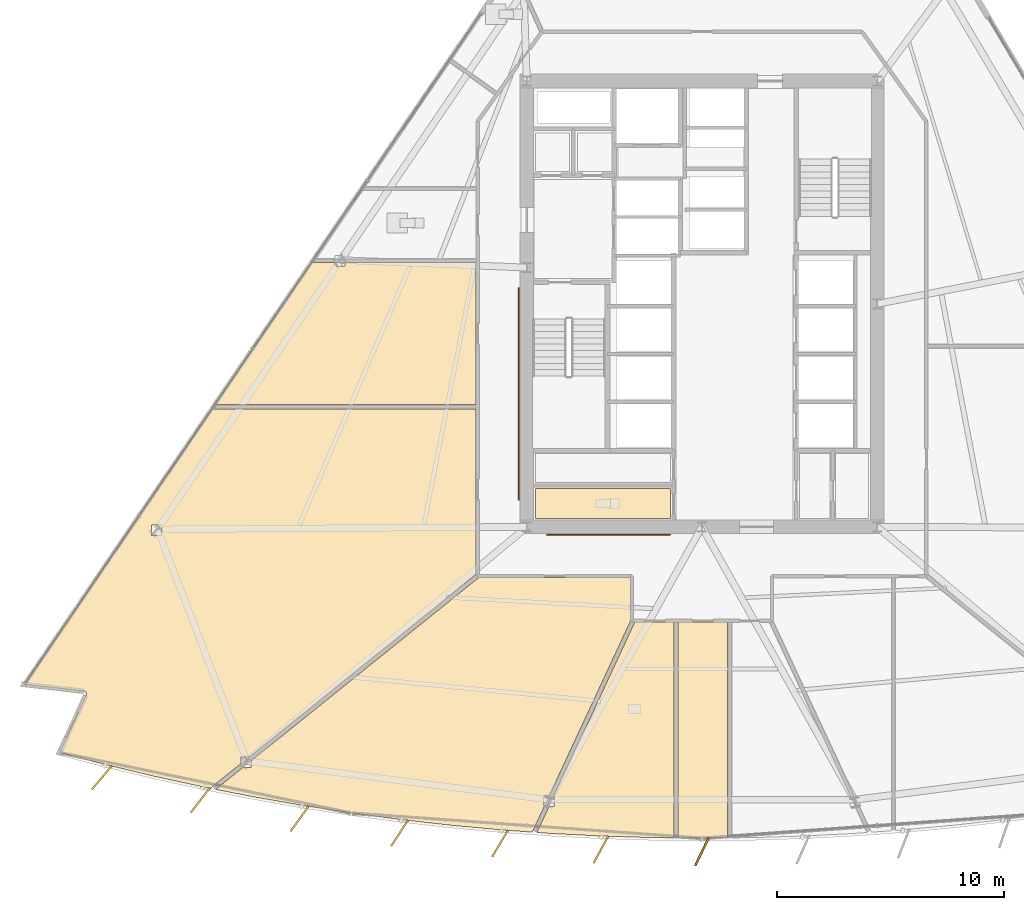
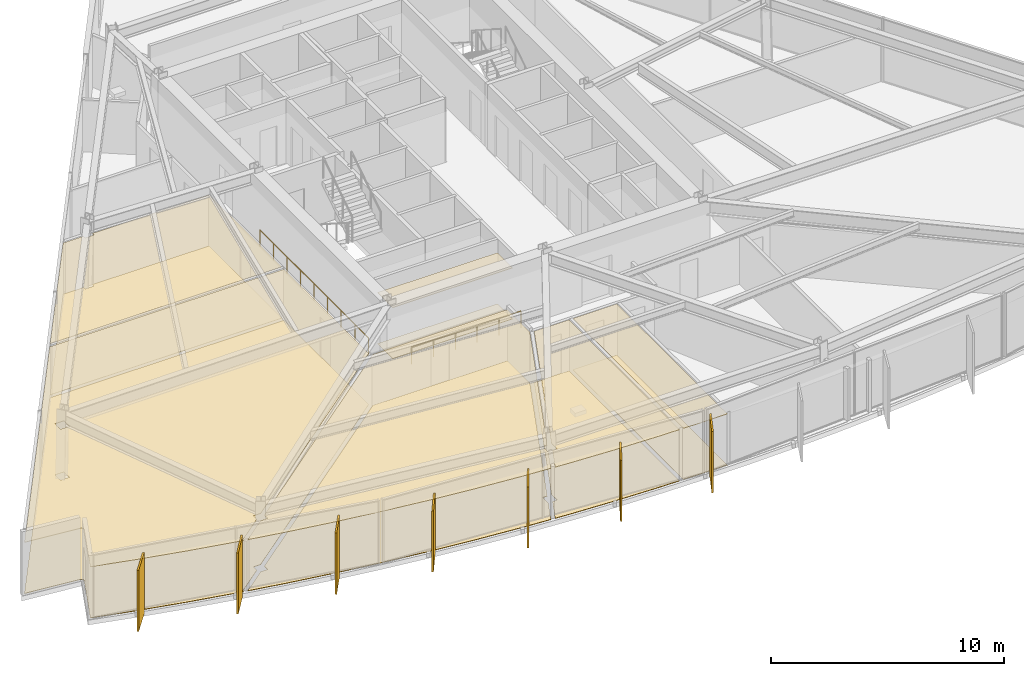
# One storey, part 13 of 18: 12 coverings, 7 shading devices, 2 railings.
"""IFC4 building model written with IfcOpenShell, lengths in metres."""

from ifc_helpers import new_model, si_unit, direction, frame, origin, origin_2d, place, context, subcontext, project, spatial, polyline, rectangle, circle, outline, extrude, material, layer, layer_set, type_object, element, save


model = new_model("IFC4")

# Units and contexts
model_context = context("Model", 3, precision=1e-05, world=origin(), true_north=direction((0.0, 1.0)))
body_context = subcontext(model_context, "Body", "Model", "MODEL_VIEW")
ifc_project = project(units=[si_unit("LENGTHUNIT", "METRE"), si_unit("AREAUNIT", "SQUARE_METRE"), si_unit("VOLUMEUNIT", "CUBIC_METRE"), si_unit("PLANEANGLEUNIT", "RADIAN"), si_unit("MASSUNIT", "GRAM", prefix="KILO")], contexts=[model_context])

# Site, building, storey
site_placement = place(None, origin())
site = spatial("IfcSite", under=ifc_project, at=site_placement, CompositionType="ELEMENT")
building_placement = place(site_placement, origin())
building = spatial("IfcBuilding", under=site, at=building_placement, Name="Savorim Split Tower", CompositionType="ELEMENT")
storey_placement = place(building_placement, frame((0.0, 0.0, 40.800048828125)))
storey = spatial("IfcBuildingStorey", under=building, at=storey_placement, Name="L10", CompositionType="ELEMENT", Elevation=40.800048828125)

# Coverings
ifc_material_1 = material(Name="Mineral Fibre Acoustic Ceiling")
ifc_layer_1 = layer(ifc_material_1, 0.02490234375)
ifc_layer_set_1 = layer_set([ifc_layer_1], Name="COV-CEIL-25")
covering_type_1 = type_object("IfcCoveringType", Name="COV-CEIL-25", PredefinedType="CEILING", material=ifc_layer_set_1)
covering_1_placement = place(storey_placement, frame((0.0, 0.0, 2.669921875)))
element("IfcCovering", 1, at=covering_1_placement, inside=storey, type_object=covering_type_1, Name="L10 Public WC Acoustic Ceiling", PredefinedType="CEILING", context=body_context, shape_type="SweptSolid", body=[
    extrude(outline(polyline([(-7.320068359375, -7.719970703125), (-7.320068359375, -9.02001953125), (-1.3798828125, -9.02001953125), (-1.3798828125, -7.719970703125), (-7.320068359375, -7.719970703125)])), origin(), (0.0, 0.0, 1.0), 0.025146484375),
])
covering_2_placement = place(storey_placement, frame((0.0, 0.0, 2.669921875)))
element("IfcCovering", 2, at=covering_2_placement, inside=storey, type_object=covering_type_1, Name="L10 Co-Working Commons Acoustic Ceiling", PredefinedType="CEILING", context=body_context, shape_type="SweptSolid", body=[
    extrude(outline(polyline([(-17.026611328125, 2.213134765625), (-17.12158203125, 2.213134765625), (-17.12158203125, 2.257568359375), (-21.39404296875, -4.022705078125), (-9.919921875, -4.022705078125), (-9.919921875, 2.213134765625), (-15.694580078125, 2.213134765625), (-15.694580078125, 2.0751953125), (-16.130615234375, 2.0751953125), (-16.130615234375, 2.213134765625), (-17.026611328125, 2.213134765625)])), origin(), (0.0, 0.0, 1.0), 0.025146484375),
])
covering_3_placement = place(storey_placement, frame((0.0, 0.0, 2.669921875)))
element("IfcCovering", 3, at=covering_3_placement, inside=storey, type_object=covering_type_1, Name="L10 Co-Working Commons Acoustic Ceiling", PredefinedType="CEILING", context=body_context, shape_type="SweptSolid", body=[
    extrude(outline(polyline([(-27.05615234375, -16.739990234375), (-27.056884765625, -16.751708984375), (-27.05908203125, -16.763671875), (-27.0625, -16.77490234375), (-27.06689453125, -16.7861328125), (-28.231201171875, -19.320068359375), (-26.232177734375, -19.843017578125), (-24.0849609375, -20.357666015625), (-21.927490234375, -20.82861328125), (-21.5419921875, -20.904541015625), (-21.579345703125, -20.858154296875), (-20.267822265625, -19.80224609375), (-20.267822265625, -19.515625), (-19.911865234375, -19.515625), (-9.94775390625, -11.49462890625), (-9.919921875, -11.472412109375), (-9.919921875, -4.212646484375), (-21.523193359375, -4.212646484375), (-29.763916015625, -16.326416015625), (-27.16259765625, -16.61669921875), (-27.15087890625, -16.61865234375), (-27.139404296875, -16.62158203125), (-27.128173828125, -16.6259765625), (-27.117431640625, -16.631103515625), (-27.107421875, -16.637451171875), (-27.097900390625, -16.644775390625), (-27.08935546875, -16.653076171875), (-27.08154296875, -16.662109375), (-27.07470703125, -16.671875), (-27.068603515625, -16.68212890625), (-27.06396484375, -16.693115234375), (-27.060302734375, -16.70458984375), (-27.0576171875, -16.716064453125), (-27.056396484375, -16.72802734375), (-27.05615234375, -16.739990234375)]), holes=[polyline([(-24.193603515625, -9.777099609375), (-23.757568359375, -9.777099609375), (-23.757568359375, -9.31103515625), (-24.193603515625, -9.31103515625), (-24.193603515625, -9.777099609375)])]), origin(), (0.0, 0.0, 1.0), 0.025146484375),
])
covering_4_placement = place(storey_placement, frame((0.0, 0.0, 2.669921875)))
element("IfcCovering", 4, at=covering_4_placement, inside=storey, type_object=covering_type_1, Name="L10 Co-Working Commons Acoustic Ceiling", PredefinedType="CEILING", context=body_context, shape_type="SweptSolid", body=[
    extrude(outline(polyline([(-15.404296875, -21.974853515625), (-13.215576171875, -22.267578125), (-11.021484375, -22.515625), (-8.82275390625, -22.71875), (-7.45556640625, -22.81689453125), (-6.932861328125, -21.693115234375), (-6.937744140625, -21.693115234375), (-6.937744140625, -21.22705078125), (-6.716064453125, -21.22705078125), (-3.139404296875, -13.538818359375), (-3.126220703125, -13.51025390625), (-3.12939453125, -13.503662109375), (-3.134033203125, -13.490478515625), (-3.13720703125, -13.477294921875), (-3.139404296875, -13.463623046875), (-3.139892578125, -13.449951171875), (-3.139892578125, -11.6201171875), (-9.780029296875, -11.6201171875), (-9.793701171875, -11.619384765625), (-9.798583984375, -11.61865234375), (-19.831787109375, -19.6953125), (-19.831787109375, -19.981689453125), (-20.187744140625, -19.981689453125), (-21.375, -20.9375), (-19.760986328125, -21.255126953125), (-17.586181640625, -21.63720703125), (-15.404296875, -21.974853515625)])), origin(), (0.0, 0.0, 1.0), 0.025146484375),
])
covering_5_placement = place(storey_placement, frame((0.0, 0.0, 2.669921875)))
element("IfcCovering", 5, at=covering_5_placement, inside=storey, type_object=covering_type_1, Name="L10 Shared Kitchen Acoustic Ceiling", PredefinedType="CEILING", context=body_context, shape_type="SweptSolid", body=[
    extrude(outline(polyline([(-6.6201171875, -22.876708984375), (-4.4150390625, -22.989501953125), (-2.2080078125, -23.057373046875), (-1.232421875, -23.0673828125), (-1.232421875, -13.590087890625), (-2.95361328125, -13.590087890625), (-6.506591796875, -21.22705078125), (-6.501708984375, -21.22705078125), (-6.501708984375, -21.693115234375), (-6.723388671875, -21.693115234375), (-7.24560546875, -22.815673828125), (-7.252685546875, -22.831298828125), (-6.6201171875, -22.876708984375)])), origin(), (0.0, 0.0, 1.0), 0.025146484375),
])
covering_6_placement = place(storey_placement, frame((0.0, 0.0, 2.669921875)))
element("IfcCovering", 6, at=covering_6_placement, inside=storey, type_object=covering_type_1, Name="L10 Quiet Study Room Acoustic Ceiling", PredefinedType="CEILING", context=body_context, shape_type="SweptSolid", body=[
    extrude(outline(polyline([(-1.04248046875, -13.590087890625), (-1.04248046875, -23.0693359375), (0.0, -23.080078125), (1.13134765625, -23.068359375), (1.13134765625, -13.590087890625), (-1.04248046875, -13.590087890625)])), origin(), (0.0, 0.0, 1.0), 0.025146484375),
])
ifc_material_2 = material(Name="Porcelain Stoneware Flooring", Category="masonry")
ifc_layer_2 = layer(ifc_material_2, 0.02001953125)
ifc_layer_set_2 = layer_set([ifc_layer_2], Name="COV-FLOR-20")
covering_type_2 = type_object("IfcCoveringType", Name="COV-FLOR-20", PredefinedType="FLOORING", material=ifc_layer_set_2)
covering_7_placement = place(storey_placement, origin())
element("IfcCovering", 7, at=covering_7_placement, inside=storey, type_object=covering_type_2, Name="L10 Public WC Porcelain Flooring", PredefinedType="FLOORING", context=body_context, shape_type="SweptSolid", body=[
    extrude(outline(polyline([(-7.320068359375, -7.719970703125), (-7.320068359375, -9.02001953125), (-1.3798828125, -9.02001953125), (-1.3798828125, -7.719970703125), (-7.320068359375, -7.719970703125)])), origin(), (0.0, 0.0, 1.0), 0.02001953125),
])
covering_8_placement = place(storey_placement, origin())
element("IfcCovering", 8, at=covering_8_placement, inside=storey, type_object=covering_type_2, Name="L10 Co-Working Commons Porcelain Flooring", PredefinedType="FLOORING", context=body_context, shape_type="SweptSolid", body=[
    extrude(outline(polyline([(-17.026611328125, 2.213134765625), (-17.12158203125, 2.213134765625), (-17.12158203125, 2.257568359375), (-21.39404296875, -4.022705078125), (-9.919921875, -4.022705078125), (-9.919921875, 2.213134765625), (-15.694580078125, 2.213134765625), (-15.694580078125, 2.0751953125), (-16.130615234375, 2.0751953125), (-16.130615234375, 2.213134765625), (-17.026611328125, 2.213134765625)])), origin(), (0.0, 0.0, 1.0), 0.02001953125),
])
covering_9_placement = place(storey_placement, origin())
element("IfcCovering", 9, at=covering_9_placement, inside=storey, type_object=covering_type_2, Name="L10 Co-Working Commons Porcelain Flooring", PredefinedType="FLOORING", context=body_context, shape_type="SweptSolid", body=[
    extrude(outline(polyline([(-27.05615234375, -16.739990234375), (-27.056884765625, -16.751708984375), (-27.05908203125, -16.763671875), (-27.0625, -16.77490234375), (-27.06689453125, -16.7861328125), (-28.231201171875, -19.320068359375), (-26.232177734375, -19.843017578125), (-24.0849609375, -20.357666015625), (-21.927490234375, -20.82861328125), (-21.5419921875, -20.904541015625), (-21.579345703125, -20.858154296875), (-20.267822265625, -19.80224609375), (-20.267822265625, -19.515625), (-19.911865234375, -19.515625), (-9.94775390625, -11.49462890625), (-9.919921875, -11.472412109375), (-9.919921875, -4.212646484375), (-21.523193359375, -4.212646484375), (-29.763916015625, -16.326416015625), (-27.16259765625, -16.61669921875), (-27.15087890625, -16.61865234375), (-27.139404296875, -16.62158203125), (-27.128173828125, -16.6259765625), (-27.117431640625, -16.631103515625), (-27.107421875, -16.637451171875), (-27.097900390625, -16.644775390625), (-27.08935546875, -16.653076171875), (-27.08154296875, -16.662109375), (-27.07470703125, -16.671875), (-27.068603515625, -16.68212890625), (-27.06396484375, -16.693115234375), (-27.060302734375, -16.70458984375), (-27.0576171875, -16.716064453125), (-27.056396484375, -16.72802734375), (-27.05615234375, -16.739990234375)]), holes=[polyline([(-24.193603515625, -9.777099609375), (-23.757568359375, -9.777099609375), (-23.757568359375, -9.31103515625), (-24.193603515625, -9.31103515625), (-24.193603515625, -9.777099609375)])]), origin(), (0.0, 0.0, 1.0), 0.02001953125),
])
covering_10_placement = place(storey_placement, origin())
element("IfcCovering", 10, at=covering_10_placement, inside=storey, type_object=covering_type_2, Name="L10 Co-Working Commons Porcelain Flooring", PredefinedType="FLOORING", context=body_context, shape_type="SweptSolid", body=[
    extrude(outline(polyline([(-15.404296875, -21.974853515625), (-13.215576171875, -22.267578125), (-11.021484375, -22.515625), (-8.82275390625, -22.71875), (-7.45556640625, -22.81689453125), (-6.932861328125, -21.693115234375), (-6.937744140625, -21.693115234375), (-6.937744140625, -21.22705078125), (-6.716064453125, -21.22705078125), (-3.139404296875, -13.538818359375), (-3.126220703125, -13.51025390625), (-3.12939453125, -13.503662109375), (-3.134033203125, -13.490478515625), (-3.13720703125, -13.477294921875), (-3.139404296875, -13.463623046875), (-3.139892578125, -13.449951171875), (-3.139892578125, -11.6201171875), (-9.780029296875, -11.6201171875), (-9.793701171875, -11.619384765625), (-9.798583984375, -11.61865234375), (-19.831787109375, -19.6953125), (-19.831787109375, -19.981689453125), (-20.187744140625, -19.981689453125), (-21.375, -20.9375), (-19.760986328125, -21.255126953125), (-17.586181640625, -21.63720703125), (-15.404296875, -21.974853515625)])), origin(), (0.0, 0.0, 1.0), 0.02001953125),
])
covering_11_placement = place(storey_placement, origin())
element("IfcCovering", 11, at=covering_11_placement, inside=storey, type_object=covering_type_2, Name="L10 Shared Kitchen Porcelain Flooring", PredefinedType="FLOORING", context=body_context, shape_type="SweptSolid", body=[
    extrude(outline(polyline([(-6.6201171875, -22.876708984375), (-4.4150390625, -22.989501953125), (-2.2080078125, -23.057373046875), (-1.232421875, -23.0673828125), (-1.232421875, -13.590087890625), (-2.95361328125, -13.590087890625), (-6.506591796875, -21.22705078125), (-6.501708984375, -21.22705078125), (-6.501708984375, -21.693115234375), (-6.723388671875, -21.693115234375), (-7.24560546875, -22.815673828125), (-7.252685546875, -22.831298828125), (-6.6201171875, -22.876708984375)])), origin(), (0.0, 0.0, 1.0), 0.02001953125),
])
covering_12_placement = place(storey_placement, origin())
element("IfcCovering", 12, at=covering_12_placement, inside=storey, type_object=covering_type_2, Name="L10 Quiet Study Room Porcelain Flooring", PredefinedType="FLOORING", context=body_context, shape_type="SweptSolid", body=[
    extrude(outline(polyline([(-1.04248046875, -13.590087890625), (-1.04248046875, -23.0693359375), (0.0, -23.080078125), (1.13134765625, -23.068359375), (1.13134765625, -13.590087890625), (-1.04248046875, -13.590087890625)])), origin(), (0.0, 0.0, 1.0), 0.02001953125),
])

# Railings
ifc_material_3 = material(Name="Galvanised Painted Steel Balustrade", Category="steel")
railing_type = type_object("IfcRailingType", Name="RLG-HR-900", PredefinedType="HANDRAIL", material=ifc_material_3)
railing_1_placement = place(storey_placement, frame((-6.800048828125, -9.75, 0.0)))
element("IfcRailing", 13, at=railing_1_placement, inside=storey, type_object=railing_type, Name="L10 Corridor South Accessible Handrail", PredefinedType="HANDRAIL", context=body_context, shape_type="SweptSolid", body=[
    extrude(circle(Radius=0.02392578125, at=origin_2d()), frame((0.0, 0.0, 0.8759765625), z_axis=(1.0, 0.0, 0.0), x_axis=(0.0, 1.0, 0.0)), (0.0, 0.0, 1.0), 5.400146484375),
    extrude(circle(Radius=0.02099609375, at=origin_2d()), origin(), (0.0, 0.0, 1.0), 0.851806640625),
    extrude(circle(Radius=0.02099609375, at=origin_2d()), frame((1.080078125, 0.0, 0.0)), (0.0, 0.0, 1.0), 0.851806640625),
    extrude(circle(Radius=0.02099609375, at=origin_2d()), frame((2.16015625, 0.0, 0.0)), (0.0, 0.0, 1.0), 0.851806640625),
    extrude(circle(Radius=0.02099609375, at=origin_2d()), frame((3.239990234375, 0.0, 0.0)), (0.0, 0.0, 1.0), 0.851806640625),
    extrude(circle(Radius=0.02099609375, at=origin_2d()), frame((4.320068359375, 0.0, 0.0)), (0.0, 0.0, 1.0), 0.851806640625),
    extrude(circle(Radius=0.02099609375, at=origin_2d()), frame((5.400146484375, 0.0, 0.0)), (0.0, 0.0, 1.0), 0.851806640625),
])
railing_2_placement = place(storey_placement, frame((-8.050048828125, -8.199951171875, 0.0)))
element("IfcRailing", 14, at=railing_2_placement, inside=storey, type_object=railing_type, Name="L10 Corridor West Accessible Handrail", PredefinedType="HANDRAIL", context=body_context, shape_type="SweptSolid", body=[
    extrude(circle(Radius=0.02392578125, at=origin_2d()), frame((0.0, 0.0, 0.8759765625), z_axis=(0.0, 1.0, 0.0), x_axis=(-1.0, 0.0, 0.0)), (0.0, 0.0, 1.0), 9.300048828125),
    extrude(circle(Radius=0.02099609375, at=origin_2d()), origin(), (0.0, 0.0, 1.0), 0.851806640625),
    extrude(circle(Radius=0.02099609375, at=origin_2d()), frame((0.0, 1.16259765625, 0.0)), (0.0, 0.0, 1.0), 0.851806640625),
    extrude(circle(Radius=0.02099609375, at=origin_2d()), frame((0.0, 2.324951171875, 0.0)), (0.0, 0.0, 1.0), 0.851806640625),
    extrude(circle(Radius=0.02099609375, at=origin_2d()), frame((0.0, 3.487548828125, 0.0)), (0.0, 0.0, 1.0), 0.851806640625),
    extrude(circle(Radius=0.02099609375, at=origin_2d()), frame((0.0, 4.64990234375, 0.0)), (0.0, 0.0, 1.0), 0.851806640625),
    extrude(circle(Radius=0.02099609375, at=origin_2d()), frame((0.0, 5.8125, 0.0)), (0.0, 0.0, 1.0), 0.851806640625),
    extrude(circle(Radius=0.02099609375, at=origin_2d()), frame((0.0, 6.97509765625, 0.0)), (0.0, 0.0, 1.0), 0.851806640625),
    extrude(circle(Radius=0.02099609375, at=origin_2d()), frame((0.0, 8.137451171875, 0.0)), (0.0, 0.0, 1.0), 0.851806640625),
    extrude(circle(Radius=0.02099609375, at=origin_2d()), frame((0.0, 9.300048828125, 0.0)), (0.0, 0.0, 1.0), 0.851806640625),
])

# Shading devices
ifc_material_4 = material(Name="Terracotta Ceramic-Coated Aluminium Fin", Category="masonry")
shading_device_type = type_object("IfcShadingDeviceType", Name="SHD-FIN-1360", PredefinedType="USERDEFINED", material=ifc_material_4)
for number, where, z_axis, x_axis, name in (
    (15, (-26.377197265625, -20.4208984375, -0.2001953125), (0.0, 0.0, 1.0), (-0.643719022682, -0.765261928909, 0.0), "L10 Sawtooth Shading Fin 01"),
    (16, (-22.048583984375, -21.412109375, -0.2001953125), (0.0, 0.0, 1.0), (-0.611868076908, -0.790959832394, 0.0), "L10 Sawtooth Shading Fin 02"),
    (17, (-17.68359375, -22.225341796875, -0.2001953125), (0.0, 0.0, 1.0), (-0.578993757737, -0.815331974414, 0.0), "L10 Sawtooth Shading Fin 03"),
    (18, (-13.28857421875, -22.859130859375, -0.2001953125), (0.0, 0.0, 1.0), (-0.545148321708, -0.838339613366, 0.0), "L10 Sawtooth Shading Fin 04"),
    (19, (-8.871337890625, -23.312744140625, -0.2001953125), (0.0, 0.0, 1.0), (-0.510391336723, -0.859942255851, 0.0), "L10 Sawtooth Shading Fin 05"),
    (20, (-4.439453125, -23.585205078125, -0.2001953125), (0.0, 0.0, 1.0), (-0.474778051978, -0.880105562623, 0.0), "L10 Sawtooth Shading Fin 06"),
    (21, (0.0, -23.676025390625, -0.2001953125), (0.0, 0.0, 1.0), (-0.438371146789, -0.898794046299, 0.0), "L10 Sawtooth Shading Fin 07"),
):
    element("IfcShadingDevice", number, at=place(storey_placement, frame(where, z_axis=z_axis, x_axis=x_axis)), inside=storey, type_object=shading_device_type, Name=name, ObjectType="FIN", PredefinedType="USERDEFINED", context=body_context, shape_type="SweptSolid", body=[
        extrude(rectangle(XDim=1.360107421875, YDim=0.080078125, at=origin_2d()), origin(), (0.0, 0.0, 1.0), 3.199951171875),
    ])

save(model, "model.ifc")
